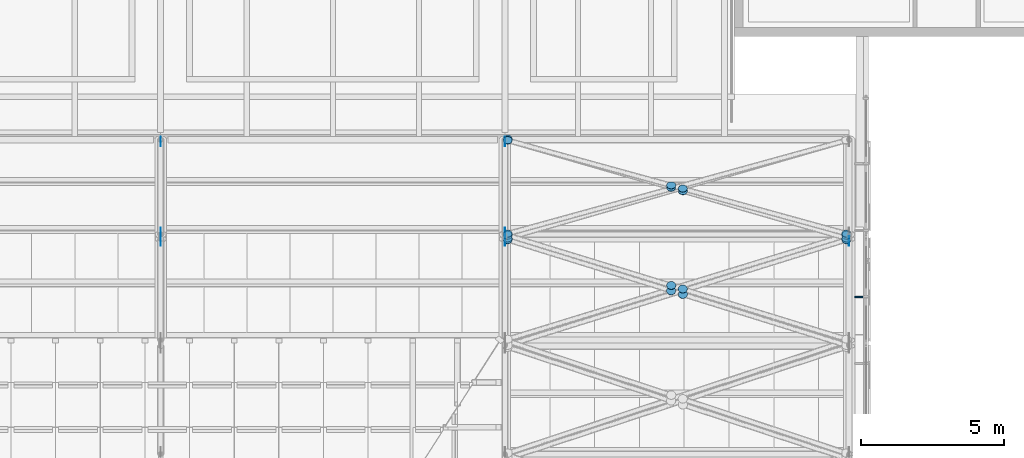
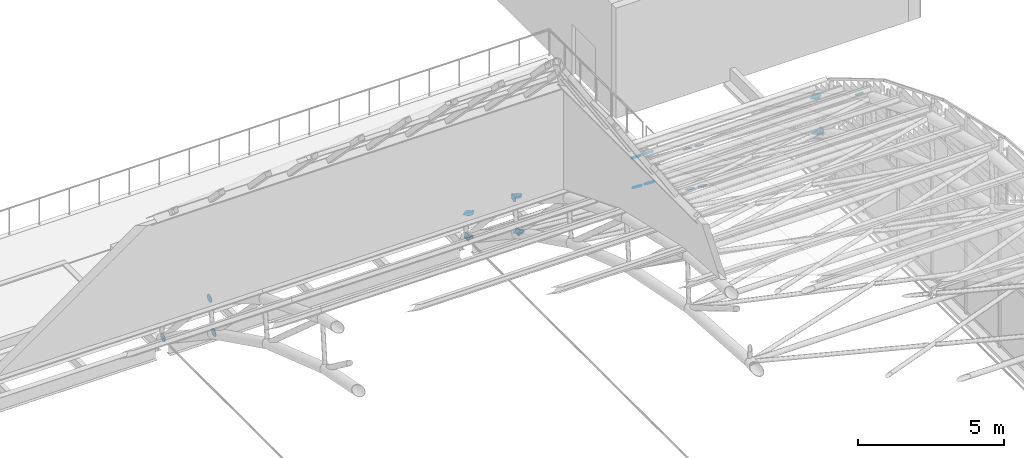
# One storey, part 101 of 110: 32 discrete accessories, 1 element without a shape of its own.
"""IFC4 building model written with IfcOpenShell, lengths in metres."""

from ifc_helpers import new_model, si_unit, direction, frame, origin, origin_2d, place, context, subcontext, project, spatial, rectangle, circle, extrude, material, layer, layer_set, type_object, element, aggregate, save


model = new_model("IFC4")

# Units and contexts
model_context = context("Model", 3, precision=1e-05, world=origin(), true_north=direction((0.0, 1.0)))
body_context = subcontext(model_context, "Body", "Model", "MODEL_VIEW")
ifc_project = project(units=[si_unit("LENGTHUNIT", "METRE"), si_unit("AREAUNIT", "SQUARE_METRE"), si_unit("VOLUMEUNIT", "CUBIC_METRE"), si_unit("PLANEANGLEUNIT", "RADIAN"), si_unit("MASSUNIT", "GRAM", prefix="KILO")], contexts=[model_context])

# Site, building, storey
site_placement = place(None, origin())
site = spatial("IfcSite", under=ifc_project, at=site_placement, CompositionType="ELEMENT")
building_placement = place(site_placement, origin())
building = spatial("IfcBuilding", under=site, at=building_placement, Name="Windward Yard Aquatics Centre", CompositionType="ELEMENT")
storey_placement = place(building_placement, frame((0.0, 0.0, 22.60009765625)))
storey = spatial("IfcBuildingStorey", under=building, at=storey_placement, Name="L05", CompositionType="ELEMENT", Elevation=22.60009765625)

# Discrete accessories
ifc_material_1 = material(Name="Steel S355", Category="steel")
ifc_layer_1 = layer(ifc_material_1, 0.011962890625)
ifc_layer_set_1 = layer_set([ifc_layer_1], Name="Gusset plate 320 mm disc 12 mm")
discrete_accessory_type = type_object("IfcDiscreteAccessoryType", Name="Gusset plate 320 mm disc 12 mm", PredefinedType="USERDEFINED", material=ifc_layer_set_1)
for number, where, z_axis, x_axis, name in (
    (1, (119.993896484375, 76.865234375, 2.390869140625), (1.0, 0.0, 0.0), (0.0, 1.0, 0.0), "Gusset plate"),
    (2, (119.993896484375, 77.158935546875, 3.64306640625), (1.0, 0.0, 0.0), (0.0, 1.0, 0.0), "Gusset plate"),
    (3, (119.993896484375, 80.33349609375, 0.07470703125), (1.0, 0.0, 0.0), (0.0, 1.0, 0.0), "Gusset plate"),
    (4, (131.993896484375, 76.865234375, 2.390869140625), (1.0, 0.0, 0.0), (0.0, 1.0, 0.0), "Gusset plate"),
    (5, (131.993896484375, 77.158935546875, 3.64306640625), (1.0, 0.0, 0.0), (0.0, 1.0, 0.0), "Gusset plate"),
    (6, (131.993896484375, 80.33349609375, 0.07470703125), (1.0, 0.0, 0.0), (0.0, 1.0, 0.0), "Gusset plate"),
    (7, (143.993896484375, 76.865234375, 2.390869140625), (1.0, 0.0, 0.0), (0.0, 1.0, 0.0), "Gusset plate"),
):
    element("IfcDiscreteAccessory", number, at=place(storey_placement, frame(where, z_axis=z_axis, x_axis=x_axis)), inside=storey, type_object=discrete_accessory_type, Name=name, ObjectType="GUSSET PLATE", PredefinedType="USERDEFINED", context=body_context, shape_type="SweptSolid", body=[
        extrude(circle(Radius=0.159912109375, at=origin_2d()), origin(), (0.0, 0.0, 1.0), 0.01220703125),
    ])
for number, where, z_axis, x_axis, name in (
    (8, (132.10009765625, 77.092529296875, 3.7119140625), (0.0, 0.0, 1.0), (1.0, 0.0, 0.0), "Gusset plate"),
    (9, (143.89990234375, 77.092529296875, 3.7119140625), (0.0, 0.0, 1.0), (1.0, 0.0, 0.0), "Gusset plate"),
    (10, (132.10009765625, 80.39990234375, 0.993896484375), (0.0, 0.0, 1.0), (1.0, 0.0, 0.0), "Gusset plate"),
):
    element("IfcDiscreteAccessory", number, at=place(storey_placement, frame(where, z_axis=z_axis, x_axis=x_axis)), inside=storey, type_object=discrete_accessory_type, Name=name, ObjectType="GUSSET PLATE", PredefinedType="USERDEFINED", context=body_context, shape_type="SweptSolid", body=[
        extrude(circle(Radius=0.159912109375, at=origin_2d()), origin(), (0.0, 0.0, 1.0), 0.011962890625),
    ])
for number, where, z_axis, x_axis, name in (
    (11, (143.90576171875, 77.066650390625, 3.740234375), (0.0, -0.502620457375, -0.864507186684), (1.0, 0.0, 0.0), "Gusset plate"),
    (12, (132.09423828125, 77.066650390625, 3.740234375), (0.0, -0.502620457375, -0.864507186684), (1.0, 0.0, 0.0), "Gusset plate"),
):
    element("IfcDiscreteAccessory", number, at=place(storey_placement, frame(where, z_axis=z_axis, x_axis=x_axis)), inside=storey, type_object=discrete_accessory_type, Name=name, ObjectType="GUSSET PLATE", PredefinedType="USERDEFINED", context=body_context, shape_type="SweptSolid", body=[
        extrude(circle(Radius=0.159912109375, at=origin_2d()), origin(), (0.0, 0.0, 1.0), 0.01220703125),
    ])
discrete_accessory_1_placement = place(storey_placement, frame((137.79931640625, 75.315673828125, 4.77783203125), z_axis=(0.0, -0.511483859768, -0.85929288441), x_axis=(1.0, 0.0, 0.0)))
element("IfcDiscreteAccessory", 13, at=discrete_accessory_1_placement, inside=storey, type_object=discrete_accessory_type, Name="Gusset plate", ObjectType="GUSSET PLATE", PredefinedType="USERDEFINED", context=body_context, shape_type="SweptSolid", body=[
    extrude(circle(Radius=0.159912109375, at=origin_2d()), origin(), (0.0, 0.0, 1.0), 0.011962890625),
])
for number, where, z_axis, x_axis, name in (
    (14, (138.20068359375, 75.192626953125, 4.850830078125), (0.0, -0.502620457375, -0.864507186684), (1.0, 0.0, 0.0), "Gusset plate"),
    (15, (132.09423828125, 77.122314453125, 3.701171875), (0.0, -0.644135745783, -0.764911198117), (1.0, 0.0, 0.0), "Gusset plate"),
    (16, (132.09423828125, 80.3779296875, 1.02587890625), (0.0, -0.644135745783, -0.764911198117), (1.0, 0.0, 0.0), "Gusset plate"),
    (17, (137.79931640625, 78.805419921875, 2.318115234375), (0.0, -0.644135745783, -0.764911198117), (1.0, 0.0, 0.0), "Gusset plate"),
):
    element("IfcDiscreteAccessory", number, at=place(storey_placement, frame(where, z_axis=z_axis, x_axis=x_axis)), inside=storey, type_object=discrete_accessory_type, Name=name, ObjectType="GUSSET PLATE", PredefinedType="USERDEFINED", context=body_context, shape_type="SweptSolid", body=[
        extrude(circle(Radius=0.159912109375, at=origin_2d()), origin(), (0.0, 0.0, 1.0), 0.01220703125),
    ])
discrete_accessory_2_placement = place(storey_placement, frame((138.20068359375, 78.69482421875, 2.408935546875), z_axis=(0.0, -0.632126727472, -0.774865020772), x_axis=(1.0, 0.0, 0.0)))
element("IfcDiscreteAccessory", 18, at=discrete_accessory_2_placement, inside=storey, type_object=discrete_accessory_type, Name="Gusset plate", ObjectType="GUSSET PLATE", PredefinedType="USERDEFINED", context=body_context, shape_type="SweptSolid", body=[
    extrude(circle(Radius=0.159912109375, at=origin_2d()), origin(), (0.0, 0.0, 1.0), 0.011962890625),
])
discrete_accessory_3_placement = place(storey_placement, frame((143.90576171875, 77.122314453125, 3.701171875), z_axis=(0.0, -0.644135745783, -0.764911198117), x_axis=(1.0, 0.0, 0.0)))
element("IfcDiscreteAccessory", 19, at=discrete_accessory_3_placement, inside=storey, type_object=discrete_accessory_type, Name="Gusset plate", ObjectType="GUSSET PLATE", PredefinedType="USERDEFINED", context=body_context, shape_type="SweptSolid", body=[
    extrude(circle(Radius=0.159912109375, at=origin_2d()), origin(), (0.0, 0.0, 1.0), 0.01220703125),
])
for number, where, z_axis, x_axis, name in (
    (20, (132.10009765625, 76.935302734375, 2.313720703125), (0.0, 0.0, 1.0), (1.0, 0.0, 0.0), "Gusset plate"),
    (21, (143.89990234375, 76.935302734375, 2.313720703125), (0.0, 0.0, 1.0), (1.0, 0.0, 0.0), "Gusset plate"),
    (22, (132.10009765625, 80.39990234375, -0.006103515625), (0.0, 0.0, 1.0), (1.0, 0.0, 0.0), "Gusset plate"),
    (23, (143.905517578125, 76.90869140625, 2.339599609375), (0.0, -0.4472135955, -0.894427191), (1.0, 0.0, 0.0), "Gusset plate"),
    (24, (132.094482421875, 76.90869140625, 2.339599609375), (0.0, -0.4472135955, -0.894427191), (1.0, 0.0, 0.0), "Gusset plate"),
    (25, (137.796142578125, 75.13232421875, 3.217041015625), (0.0, -0.430729586215, -0.902481037784), (1.0, 0.0, 0.0), "Gusset plate"),
    (26, (138.203857421875, 75.00537109375, 3.27978515625), (0.0, -0.430729586215, -0.902481037784), (1.0, 0.0, 0.0), "Gusset plate"),
):
    element("IfcDiscreteAccessory", number, at=place(storey_placement, frame(where, z_axis=z_axis, x_axis=x_axis)), inside=storey, type_object=discrete_accessory_type, Name=name, ObjectType="GUSSET PLATE", PredefinedType="USERDEFINED", context=body_context, shape_type="SweptSolid", body=[
        extrude(circle(Radius=0.159912109375, at=origin_2d()), origin(), (0.0, 0.0, 1.0), 0.011962890625),
    ])
discrete_accessory_4_placement = place(storey_placement, frame((132.094482421875, 76.966064453125, 2.306396484375), z_axis=(0.0, -0.563961646158, -0.825800981874), x_axis=(1.0, 0.0, 0.0)))
element("IfcDiscreteAccessory", 27, at=discrete_accessory_4_placement, inside=storey, type_object=discrete_accessory_type, Name="Gusset plate", ObjectType="GUSSET PLATE", PredefinedType="USERDEFINED", context=body_context, shape_type="SweptSolid", body=[
    extrude(circle(Radius=0.159912109375, at=origin_2d()), origin(), (0.0, 0.0, 1.0), 0.01220703125),
])
for number, where, z_axis, x_axis, name in (
    (28, (132.094482421875, 80.3759765625, 0.023193359375), (0.0, -0.549990569516, -0.83517086482), (1.0, 0.0, 0.0), "Gusset plate"),
    (29, (137.796142578125, 78.72998046875, 1.125244140625), (0.0, -0.573462344363, -0.819231920519), (1.0, 0.0, 0.0), "Gusset plate"),
):
    element("IfcDiscreteAccessory", number, at=place(storey_placement, frame(where, z_axis=z_axis, x_axis=x_axis)), inside=storey, type_object=discrete_accessory_type, Name=name, ObjectType="GUSSET PLATE", PredefinedType="USERDEFINED", context=body_context, shape_type="SweptSolid", body=[
        extrude(circle(Radius=0.159912109375, at=origin_2d()), origin(), (0.0, 0.0, 1.0), 0.011962890625),
    ])
for number, where, z_axis, x_axis, name in (
    (30, (138.203857421875, 78.6123046875, 1.2041015625), (0.0, -0.563961646158, -0.825800981874), (1.0, 0.0, 0.0), "Gusset plate"),
    (31, (143.905517578125, 76.966064453125, 2.306396484375), (0.0, -0.563961646158, -0.825800981874), (1.0, 0.0, 0.0), "Gusset plate"),
):
    element("IfcDiscreteAccessory", number, at=place(storey_placement, frame(where, z_axis=z_axis, x_axis=x_axis)), inside=storey, type_object=discrete_accessory_type, Name=name, ObjectType="GUSSET PLATE", PredefinedType="USERDEFINED", context=body_context, shape_type="SweptSolid", body=[
        extrude(circle(Radius=0.159912109375, at=origin_2d()), origin(), (0.0, 0.0, 1.0), 0.01220703125),
    ])

# Curtain wall, discrete accessory
ifc_material_2 = material(Name="Glass and aluminium curtain wall", Category="aluminium")
ifc_layer_2 = layer(ifc_material_2, 0.179931640625)
ifc_layer_set_2 = layer_set([ifc_layer_2], Name="H gable glazing system double glazed 8+16+8")
curtain_wall_type = type_object("IfcCurtainWallType", Name="H gable glazing system double glazed 8+16+8", PredefinedType="NOTDEFINED", material=ifc_layer_set_2)
curtain_wall_placement = place(storey_placement, origin())
curtain_wall = element("IfcCurtainWall", 32, at=curtain_wall_placement, inside=storey, type_object=curtain_wall_type, Name="Gable glazing E", PredefinedType="NOTDEFINED")
discrete_accessory_5_placement = place(storey_placement, frame((144.203125, 74.91552734375, 5.008056640625), z_axis=(1.0, 0.0, 0.0), x_axis=(0.0, 1.0, 0.0)))
discrete_accessory_5 = element("IfcDiscreteAccessory", 33, at=discrete_accessory_5_placement, Name="Gable glazing bracket 16", PredefinedType="BRACKET", context=body_context, shape_type="SweptSolid", body=[
    extrude(rectangle(XDim=0.06005859375, YDim=0.06005859375, at=origin_2d()), origin(), (0.0, 0.0, 1.0), 0.296875),
])
aggregate(curtain_wall, [discrete_accessory_5])

save(model, "model.ifc")
